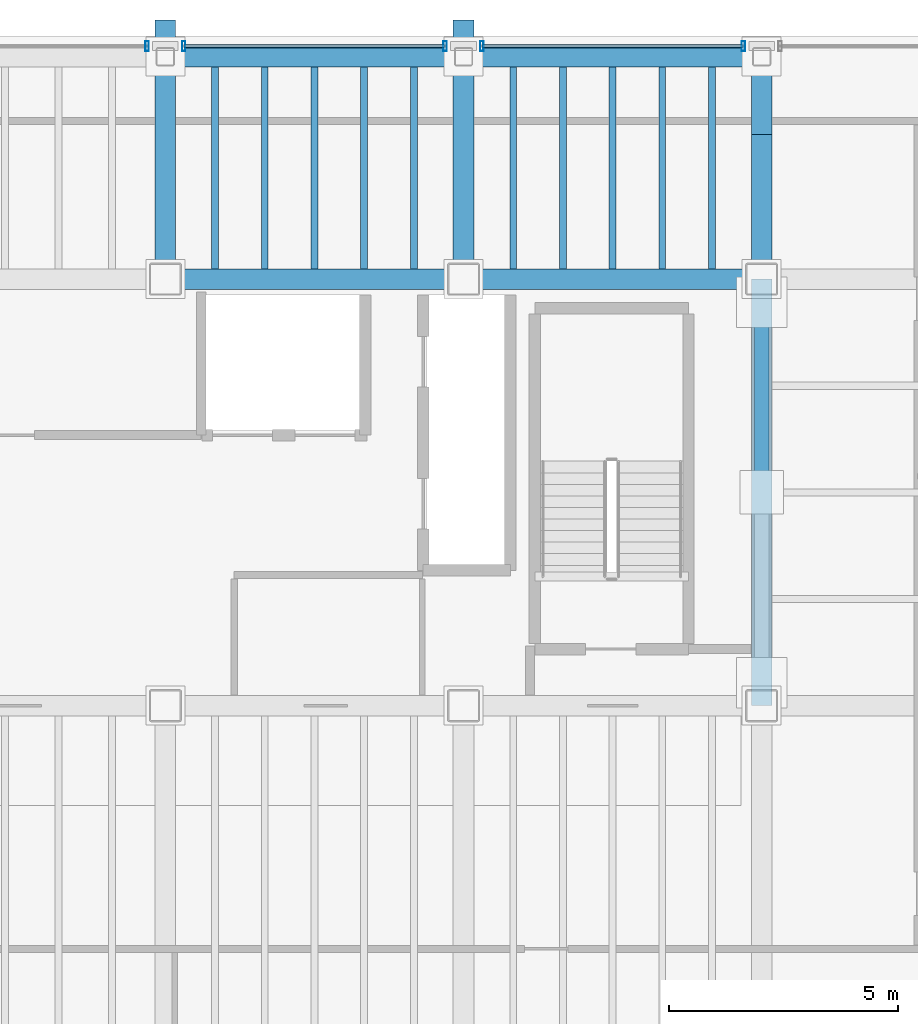
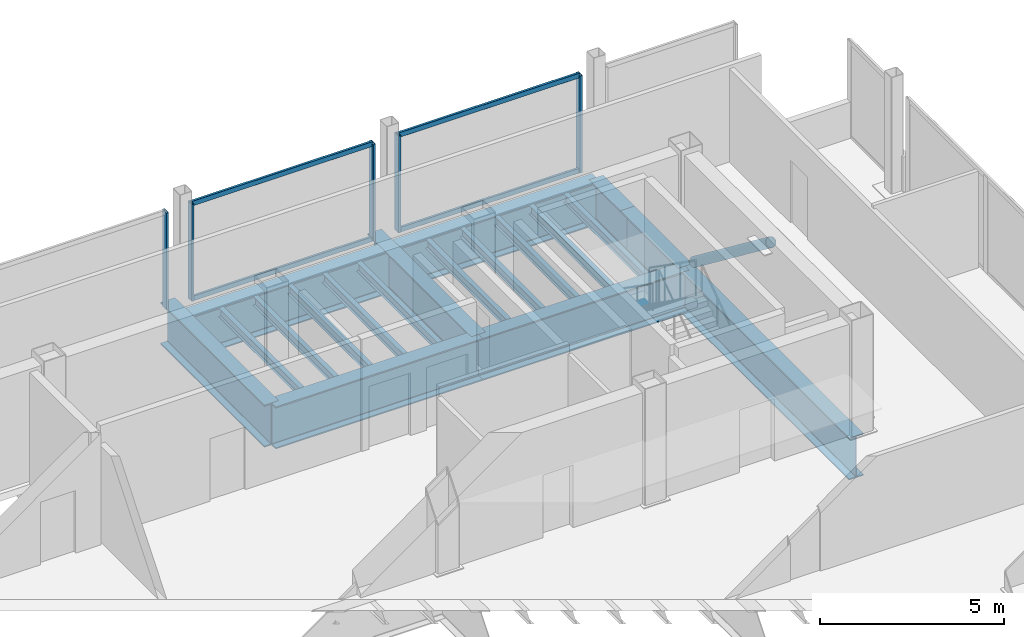
# One storey, part 11 of 17: 19 beams, 10 members, 3 elements without a shape of their own.
"""IFC4 building model written with IfcOpenShell, lengths in metres."""

from ifc_helpers import new_model, si_unit, direction, frame, origin, origin_2d, place, context, subcontext, project, spatial, hollow_rectangle, hollow_circle, i_section, extrude, material, material_profile, profile_set, type_object, element, aggregate, save


model = new_model("IFC4")

# Units and contexts
model_context = context("Model", 3, precision=1e-05, world=origin(), true_north=direction((0.0, 1.0)))
body_context = subcontext(model_context, "Body", "Model", "MODEL_VIEW")
ifc_project = project(units=[si_unit("LENGTHUNIT", "METRE"), si_unit("AREAUNIT", "SQUARE_METRE"), si_unit("VOLUMEUNIT", "CUBIC_METRE"), si_unit("PLANEANGLEUNIT", "RADIAN"), si_unit("MASSUNIT", "GRAM", prefix="KILO")], contexts=[model_context])

# Site, building, storey
site_placement = place(None, origin())
site = spatial("IfcSite", under=ifc_project, at=site_placement, CompositionType="ELEMENT")
building_placement = place(site_placement, origin())
building = spatial("IfcBuilding", under=site, at=building_placement, Name="Noeulbin Bourse Tower", CompositionType="ELEMENT")
storey_placement = place(building_placement, frame((0.0, 0.0, 281.300048828125)))
storey = spatial("IfcBuildingStorey", under=building, at=storey_placement, Name="L70", CompositionType="ELEMENT", Elevation=281.300048828125)

# Beams
ifc_material_1 = material(Name="Steel S355", Category="steel")
ifc_material_profile_1 = material_profile(ifc_material_1, i_section(OverallWidth=0.14990234375, OverallDepth=0.300048828125, WebThickness=0.006591796875, FlangeThickness=0.009033203125, FilletRadius=0.012939453125, at=origin_2d()), Name="H-300x150x6.5x9", Category="LoadBearing")
ifc_profile_set_1 = profile_set([ifc_material_profile_1], Name="Steel S355")
beam_type_1 = type_object("IfcBeamType", Name="BM-JST-300", PredefinedType="JOIST", material=ifc_profile_set_1)
for number, where, z_axis, x_axis, name in (
    (1, (32.083251953125, 38.52490234375, -0.39013671875), (0.0, 1.0, 0.0), (-1.0, 0.0, 0.0), "Tower Composite Joist L70-12"),
    (2, (33.166748046875, 38.52490234375, -0.39013671875), (0.0, 1.0, 0.0), (-1.0, 0.0, 0.0), "Tower Composite Joist L70-14"),
    (3, (34.25, 38.52490234375, -0.39013671875), (0.0, 1.0, 0.0), (-1.0, 0.0, 0.0), "Tower Composite Joist L70-16"),
    (4, (35.333251953125, 38.52490234375, -0.39013671875), (0.0, 1.0, 0.0), (-1.0, 0.0, 0.0), "Tower Composite Joist L70-18"),
    (5, (36.416748046875, 38.52490234375, -0.39013671875), (0.0, 1.0, 0.0), (-1.0, 0.0, 0.0), "Tower Composite Joist L70-20"),
    (6, (38.583251953125, 38.52490234375, -0.39013671875), (0.0, 1.0, 0.0), (-1.0, 0.0, 0.0), "Tower Composite Joist L70-22"),
    (7, (39.666748046875, 38.52490234375, -0.39013671875), (0.0, 1.0, 0.0), (-1.0, 0.0, 0.0), "Tower Composite Joist L70-24"),
    (8, (40.75, 38.52490234375, -0.39013671875), (0.0, 1.0, 0.0), (-1.0, 0.0, 0.0), "Tower Composite Joist L70-26"),
    (9, (41.833251953125, 38.52490234375, -0.39013671875), (0.0, 1.0, 0.0), (-1.0, 0.0, 0.0), "Tower Composite Joist L70-28"),
    (10, (42.916748046875, 38.52490234375, -0.39013671875), (0.0, 1.0, 0.0), (-1.0, 0.0, 0.0), "Tower Composite Joist L70-30"),
):
    element("IfcBeam", number, at=place(storey_placement, frame(where, z_axis=z_axis, x_axis=x_axis)), inside=storey, type_object=beam_type_1, Name=name, PredefinedType="JOIST", context=body_context, shape_type="SweptSolid", body=[
        extrude(i_section(OverallWidth=0.14990234375, OverallDepth=0.300048828125, WebThickness=0.006591796875, FlangeThickness=0.009033203125, FilletRadius=0.012939453125, at=origin_2d()), origin(), (0.0, 0.0, 1.0), 4.400146484375),
    ])
ifc_material_2 = material(Name="Steel S460", Category="steel")
ifc_material_profile_2 = material_profile(ifc_material_2, i_section(OverallWidth=0.449951171875, OverallDepth=1.39990234375, WebThickness=0.02392578125, FlangeThickness=0.0400390625, FilletRadius=0.02392578125, at=origin_2d()), Name="PG-1400x450x24x40", Category="LoadBearing")
ifc_profile_set_2 = profile_set([ifc_material_profile_2], Name="Steel S460")
beam_type_2 = type_object("IfcBeamType", Name="BM-TRF-1400", PredefinedType="USERDEFINED", material=ifc_profile_set_2)
for number, where, z_axis, x_axis, name in (
    (11, (31.0, 38.300048828125, -0.93994140625), (1.0, 0.0, 0.0), (0.0, 1.0, 0.0), "Tower Primary Girder EW L70-3.2"),
    (12, (37.5, 38.300048828125, -0.93994140625), (1.0, 0.0, 0.0), (0.0, 1.0, 0.0), "Tower Primary Girder EW L70-3.3"),
):
    element("IfcBeam", number, at=place(storey_placement, frame(where, z_axis=z_axis, x_axis=x_axis)), inside=storey, type_object=beam_type_2, Name=name, ObjectType="GIRDER", PredefinedType="USERDEFINED", context=body_context, shape_type="SweptSolid", body=[
        extrude(i_section(OverallWidth=0.449951171875, OverallDepth=1.39990234375, WebThickness=0.02392578125, FlangeThickness=0.0400390625, FilletRadius=0.02392578125, at=origin_2d()), origin(), (0.0, 0.0, 1.0), 6.5),
    ])
for number, where, z_axis, x_axis, name in (
    (13, (31.0, 38.300048828125, -0.93994140625), (0.0, 1.0, 0.0), (-1.0, 0.0, 0.0), "Tower Primary Girder NS L70-3.3"),
    (14, (37.5, 38.300048828125, -0.93994140625), (0.0, 1.0, 0.0), (-1.0, 0.0, 0.0), "Tower Primary Girder NS L70-4.3"),
):
    element("IfcBeam", number, at=place(storey_placement, frame(where, z_axis=z_axis, x_axis=x_axis)), inside=storey, type_object=beam_type_2, Name=name, ObjectType="GIRDER", PredefinedType="USERDEFINED", context=body_context, shape_type="SweptSolid", body=[
        extrude(i_section(OverallWidth=0.449951171875, OverallDepth=1.39990234375, WebThickness=0.02392578125, FlangeThickness=0.0400390625, FilletRadius=0.02392578125, at=origin_2d()), origin(), (0.0, 0.0, 1.0), 5.64990234375),
    ])
beam_1_placement = place(storey_placement, frame((44.0, 29.0, -0.93994140625), z_axis=(0.0, 1.0, 0.0), x_axis=(-1.0, 0.0, 0.0)))
element("IfcBeam", 15, at=beam_1_placement, inside=storey, type_object=beam_type_2, Name="Tower Primary Girder NS L70-5.2", ObjectType="GIRDER", PredefinedType="USERDEFINED", context=body_context, shape_type="SweptSolid", body=[
    extrude(i_section(OverallWidth=0.449951171875, OverallDepth=1.39990234375, WebThickness=0.02392578125, FlangeThickness=0.0400390625, FilletRadius=0.02392578125, at=origin_2d()), origin(), (0.0, 0.0, 1.0), 9.300048828125),
])
beam_2_placement = place(storey_placement, frame((44.0, 38.300048828125, -0.93994140625), z_axis=(0.0, 1.0, 0.0), x_axis=(-1.0, 0.0, 0.0)))
element("IfcBeam", 16, at=beam_2_placement, inside=storey, type_object=beam_type_2, Name="Tower Primary Girder NS L70-5.3", ObjectType="GIRDER", PredefinedType="USERDEFINED", context=body_context, shape_type="SweptSolid", body=[
    extrude(i_section(OverallWidth=0.449951171875, OverallDepth=1.39990234375, WebThickness=0.02392578125, FlangeThickness=0.0400390625, FilletRadius=0.02392578125, at=origin_2d()), origin(), (0.0, 0.0, 1.0), 3.14990234375),
])
beam_3_placement = place(storey_placement, frame((44.0, 41.449951171875, -0.93994140625), z_axis=(0.0, 1.0, 0.0), x_axis=(-1.0, 0.0, 0.0)))
element("IfcBeam", 17, at=beam_3_placement, inside=storey, type_object=beam_type_2, Name="Tower Primary Girder NS L70-5.4", ObjectType="GIRDER", PredefinedType="USERDEFINED", context=body_context, shape_type="SweptSolid", body=[
    extrude(i_section(OverallWidth=0.449951171875, OverallDepth=1.39990234375, WebThickness=0.02392578125, FlangeThickness=0.0400390625, FilletRadius=0.02392578125, at=origin_2d()), origin(), (0.0, 0.0, 1.0), 1.699951171875),
])
for number, where, z_axis, x_axis, name in (
    (18, (31.0, 43.14990234375, -0.93994140625), (1.0, 0.0, 0.0), (0.0, 1.0, 0.0), "North Spandrel L70-2"),
    (19, (37.5, 43.14990234375, -0.93994140625), (1.0, 0.0, 0.0), (0.0, 1.0, 0.0), "North Spandrel L70-3"),
):
    element("IfcBeam", number, at=place(storey_placement, frame(where, z_axis=z_axis, x_axis=x_axis)), inside=storey, type_object=beam_type_2, Name=name, ObjectType="GIRDER", PredefinedType="USERDEFINED", context=body_context, shape_type="SweptSolid", body=[
        extrude(i_section(OverallWidth=0.449951171875, OverallDepth=1.39990234375, WebThickness=0.02392578125, FlangeThickness=0.0400390625, FilletRadius=0.02392578125, at=origin_2d()), origin(), (0.0, 0.0, 1.0), 6.5),
    ])

# Curtain wall, member
ifc_material_3 = material(Name="High-Selectivity Low-Iron Glazing", Category="glass")
curtain_wall_type = type_object("IfcCurtainWallType", Name="CW-SYS-4", PredefinedType="NOTDEFINED", material=ifc_material_3)
curtain_wall_1_placement = place(storey_placement, origin())
curtain_wall_1 = element("IfcCurtainWall", 20, at=curtain_wall_1_placement, inside=storey, type_object=curtain_wall_type, Name="Unitised Curtain Wall CW-L70-N-S2", PredefinedType="NOTDEFINED")
ifc_material_4 = material(Name="Anodised Aluminium 6063-T6", Category="aluminium")
ifc_material_profile_3 = material_profile(ifc_material_4, hollow_rectangle(XDim=0.074951171875, YDim=0.219970703125, WallThickness=0.0048828125, InnerFilletRadius=0.00244140625, OuterFilletRadius=0.0048828125, at=origin_2d()), Name="ALU-MULL-75x220x5", Category="LoadBearing")
ifc_profile_set_3 = profile_set([ifc_material_profile_3], Name="Anodised Aluminium 6063-T6")
member_type_1 = type_object("IfcMemberType", Name="CW-SYS-4-MUL", PredefinedType="MULLION", material=ifc_profile_set_3)
member_1_placement = place(storey_placement, frame((30.60009765625, 43.3798828125, -0.02001953125), z_axis=(0.0, 0.0, 1.0), x_axis=(1.0, 0.0, 0.0)))
member_1 = element("IfcMember", 21, at=member_1_placement, type_object=member_type_1, Name="Curtain Wall Mullion CW-L70-N-S2-M01", PredefinedType="MULLION", context=body_context, shape_type="SweptSolid", body=[
    extrude(hollow_rectangle(XDim=0.074951171875, YDim=0.219970703125, WallThickness=0.0048828125, InnerFilletRadius=0.00244140625, OuterFilletRadius=0.0048828125, at=origin_2d()), origin(), (0.0, 0.0, 1.0), 3.219970703125),
])
aggregate(curtain_wall_1, [member_1])

# Curtain wall, members
curtain_wall_2_placement = place(storey_placement, origin())
curtain_wall_2 = element("IfcCurtainWall", 22, at=curtain_wall_2_placement, inside=storey, type_object=curtain_wall_type, Name="Unitised Curtain Wall CW-L70-N-S3", PredefinedType="NOTDEFINED")
member_2_placement = place(storey_placement, frame((31.39990234375, 43.3798828125, -0.02001953125), z_axis=(0.0, 0.0, 1.0), x_axis=(1.0, 0.0, 0.0)))
member_2 = element("IfcMember", 23, at=member_2_placement, type_object=member_type_1, Name="Curtain Wall Mullion CW-L70-N-S3-M00", PredefinedType="MULLION", context=body_context, shape_type="SweptSolid", body=[
    extrude(hollow_rectangle(XDim=0.074951171875, YDim=0.219970703125, WallThickness=0.0048828125, InnerFilletRadius=0.00244140625, OuterFilletRadius=0.0048828125, at=origin_2d()), origin(), (0.0, 0.0, 1.0), 3.219970703125),
])
member_3_placement = place(storey_placement, frame((37.10009765625, 43.3798828125, -0.02001953125), z_axis=(0.0, 0.0, 1.0), x_axis=(1.0, 0.0, 0.0)))
member_3 = element("IfcMember", 24, at=member_3_placement, type_object=member_type_1, Name="Curtain Wall Mullion CW-L70-N-S3-M01", PredefinedType="MULLION", context=body_context, shape_type="SweptSolid", body=[
    extrude(hollow_rectangle(XDim=0.074951171875, YDim=0.219970703125, WallThickness=0.0048828125, InnerFilletRadius=0.00244140625, OuterFilletRadius=0.0048828125, at=origin_2d()), origin(), (0.0, 0.0, 1.0), 3.219970703125),
])

curtain_wall_3_placement = place(storey_placement, origin())
curtain_wall_3 = element("IfcCurtainWall", 25, at=curtain_wall_3_placement, inside=storey, type_object=curtain_wall_type, Name="Unitised Curtain Wall CW-L70-N-S4", PredefinedType="NOTDEFINED")
member_4_placement = place(storey_placement, frame((37.89990234375, 43.3798828125, -0.02001953125), z_axis=(0.0, 0.0, 1.0), x_axis=(1.0, 0.0, 0.0)))
member_4 = element("IfcMember", 26, at=member_4_placement, type_object=member_type_1, Name="Curtain Wall Mullion CW-L70-N-S4-M00", PredefinedType="MULLION", context=body_context, shape_type="SweptSolid", body=[
    extrude(hollow_rectangle(XDim=0.074951171875, YDim=0.219970703125, WallThickness=0.0048828125, InnerFilletRadius=0.00244140625, OuterFilletRadius=0.0048828125, at=origin_2d()), origin(), (0.0, 0.0, 1.0), 3.219970703125),
])
member_5_placement = place(storey_placement, frame((43.60009765625, 43.3798828125, -0.02001953125), z_axis=(0.0, 0.0, 1.0), x_axis=(1.0, 0.0, 0.0)))
member_5 = element("IfcMember", 27, at=member_5_placement, type_object=member_type_1, Name="Curtain Wall Mullion CW-L70-N-S4-M01", PredefinedType="MULLION", context=body_context, shape_type="SweptSolid", body=[
    extrude(hollow_rectangle(XDim=0.074951171875, YDim=0.219970703125, WallThickness=0.0048828125, InnerFilletRadius=0.00244140625, OuterFilletRadius=0.0048828125, at=origin_2d()), origin(), (0.0, 0.0, 1.0), 3.219970703125),
])

# Member
ifc_material_profile_4 = material_profile(ifc_material_4, hollow_rectangle(XDim=0.074951171875, YDim=0.159912109375, WallThickness=0.0048828125, InnerFilletRadius=0.00244140625, OuterFilletRadius=0.0048828125, at=origin_2d()), Name="ALU-TRAN-75x160x5", Category="LoadBearing")
ifc_profile_set_4 = profile_set([ifc_material_profile_4], Name="Anodised Aluminium 6063-T6")
member_type_2 = type_object("IfcMemberType", Name="CW-SYS-4-TRN", PredefinedType="USERDEFINED", material=ifc_profile_set_4)
member_6_placement = place(storey_placement, frame((31.409912109375, 43.3798828125, 0.010009765625), z_axis=(1.0, 0.0, 0.0), x_axis=(0.0, 1.0, 0.0)))
member_6 = element("IfcMember", 28, at=member_6_placement, type_object=member_type_2, Name="Curtain Wall Transom CW-L70-N-S3-T00", ObjectType="TRANSOM", PredefinedType="USERDEFINED", context=body_context, shape_type="SweptSolid", body=[
    extrude(hollow_rectangle(XDim=0.074951171875, YDim=0.159912109375, WallThickness=0.0048828125, InnerFilletRadius=0.00244140625, OuterFilletRadius=0.0048828125, at=origin_2d()), origin(), (0.0, 0.0, 1.0), 5.68017578125),
])

member_7_placement = place(storey_placement, frame((31.409912109375, 43.3798828125, 3.169921875), z_axis=(1.0, 0.0, 0.0), x_axis=(0.0, 1.0, 0.0)))
member_7 = element("IfcMember", 29, at=member_7_placement, type_object=member_type_2, Name="Curtain Wall Transom CW-L70-N-S3-T01", ObjectType="TRANSOM", PredefinedType="USERDEFINED", context=body_context, shape_type="SweptSolid", body=[
    extrude(hollow_rectangle(XDim=0.074951171875, YDim=0.159912109375, WallThickness=0.0048828125, InnerFilletRadius=0.00244140625, OuterFilletRadius=0.0048828125, at=origin_2d()), origin(), (0.0, 0.0, 1.0), 5.68017578125),
])

aggregate(curtain_wall_2, [member_2, member_3, member_6, member_7])

member_8_placement = place(storey_placement, frame((37.909912109375, 43.3798828125, 0.010009765625), z_axis=(1.0, 0.0, 0.0), x_axis=(0.0, 1.0, 0.0)))
member_8 = element("IfcMember", 30, at=member_8_placement, type_object=member_type_2, Name="Curtain Wall Transom CW-L70-N-S4-T00", ObjectType="TRANSOM", PredefinedType="USERDEFINED", context=body_context, shape_type="SweptSolid", body=[
    extrude(hollow_rectangle(XDim=0.074951171875, YDim=0.159912109375, WallThickness=0.0048828125, InnerFilletRadius=0.00244140625, OuterFilletRadius=0.0048828125, at=origin_2d()), origin(), (0.0, 0.0, 1.0), 5.68017578125),
])

member_9_placement = place(storey_placement, frame((37.909912109375, 43.3798828125, 3.169921875), z_axis=(1.0, 0.0, 0.0), x_axis=(0.0, 1.0, 0.0)))
member_9 = element("IfcMember", 31, at=member_9_placement, type_object=member_type_2, Name="Curtain Wall Transom CW-L70-N-S4-T01", ObjectType="TRANSOM", PredefinedType="USERDEFINED", context=body_context, shape_type="SweptSolid", body=[
    extrude(hollow_rectangle(XDim=0.074951171875, YDim=0.159912109375, WallThickness=0.0048828125, InnerFilletRadius=0.00244140625, OuterFilletRadius=0.0048828125, at=origin_2d()), origin(), (0.0, 0.0, 1.0), 5.68017578125),
])

aggregate(curtain_wall_3, [member_4, member_5, member_8, member_9])

ifc_material_profile_5 = material_profile(ifc_material_1, hollow_circle(Radius=0.1591796875, WallThickness=0.01025390625, at=origin_2d()), Name="CHS-318.5x10.3", Category="LoadBearing")
ifc_profile_set_5 = profile_set([ifc_material_profile_5], Name="Steel S355")
member_type_3 = type_object("IfcMemberType", Name="MEM-EXO-318", PredefinedType="BRACE", material=ifc_profile_set_5)
member_10_placement = place(storey_placement, frame((44.0, 33.64990234375, 3.369873046875), z_axis=(0.0, 0.794701388985, -0.607000578538), x_axis=(-1.0, 0.0, 0.0)))
element("IfcMember", 32, at=member_10_placement, inside=storey, type_object=member_type_3, Name="Core Flank Chevron Brace XT-L70-E2", PredefinedType="BRACE", context=body_context, shape_type="SweptSolid", body=[
    extrude(hollow_circle(Radius=0.1591796875, WallThickness=0.01025390625, at=origin_2d()), origin(), (0.0, 0.0, 1.0), 5.22216796875),
])

save(model, "model.ifc")
